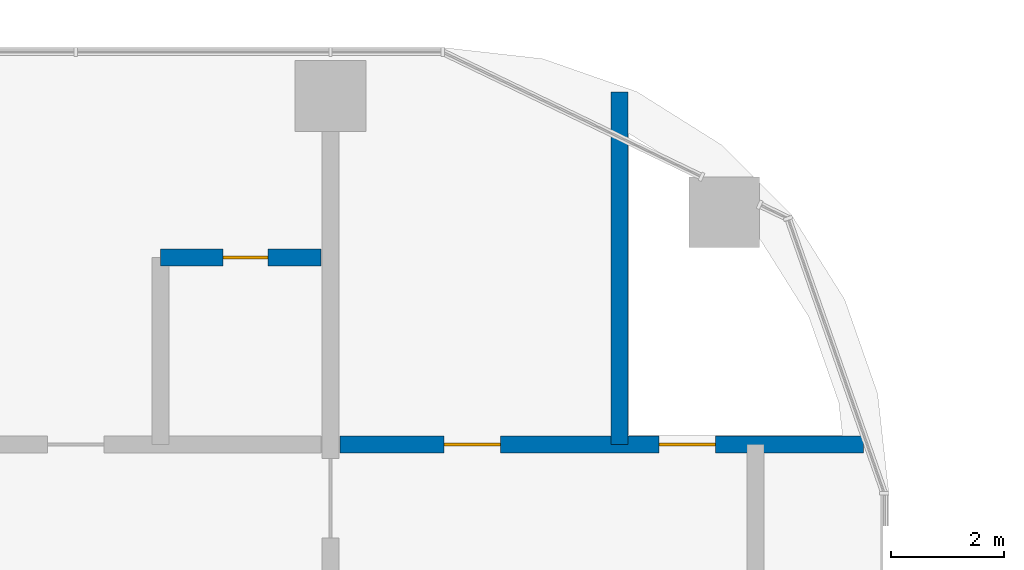
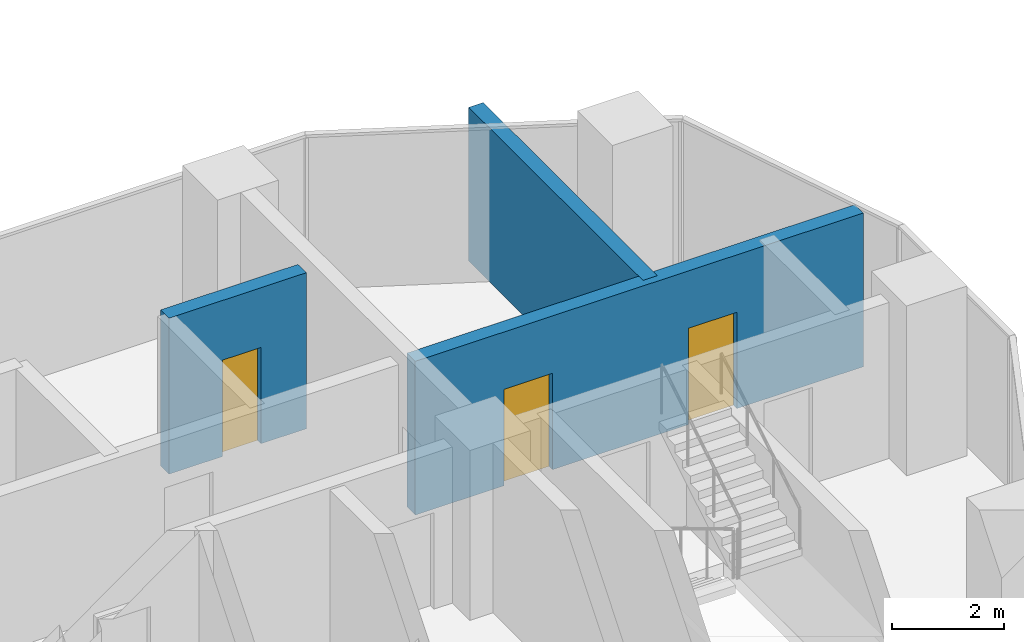
# One storey, part 20 of 35: 3 doors, 3 walls, 3 openings.
"""IFC4 building model written with IfcOpenShell, lengths in metres."""

from ifc_helpers import new_model, si_unit, direction, frame, frame_2d, origin, place, context, subcontext, project, spatial, rectangle, extrude, material, layer, layer_set, type_object, element, fill, save


model = new_model("IFC4")

# Units and contexts
model_context = context("Model", 3, precision=1e-05, world=origin(), true_north=direction((0.0, 1.0)))
body_context = subcontext(model_context, "Body", "Model", "MODEL_VIEW")
ifc_project = project(units=[si_unit("LENGTHUNIT", "METRE"), si_unit("AREAUNIT", "SQUARE_METRE"), si_unit("VOLUMEUNIT", "CUBIC_METRE"), si_unit("PLANEANGLEUNIT", "RADIAN"), si_unit("MASSUNIT", "GRAM", prefix="KILO")], contexts=[model_context])

# Site, building, storey
site_placement = place(None, origin())
site = spatial("IfcSite", under=ifc_project, at=site_placement, CompositionType="ELEMENT")
building_placement = place(site_placement, origin())
building = spatial("IfcBuilding", under=site, at=building_placement, Name="Ogive Portal Towers", CompositionType="ELEMENT")
storey_placement = place(building_placement, frame((0.0, 0.0, 94.5)))
storey = spatial("IfcBuildingStorey", under=building, at=storey_placement, Name="L22", CompositionType="ELEMENT", Elevation=94.5)

# Wall, openings, doors
ifc_material_1 = material(Name="Gypsum board partition on steel studs", Category="steel")
ifc_layer_1 = layer(ifc_material_1, 0.300048828125)
ifc_layer_set_1 = layer_set([ifc_layer_1], Name="WT-PART-300-EI 120")
wall_type_1 = type_object("IfcWallType", Name="WT-PART-300-EI 120", PredefinedType="PARTITIONING", material=ifc_layer_set_1)
wall_1_placement = place(storey_placement, frame((85.669921875, 33.35009765625, 0.0), z_axis=(0.0, 0.0, 1.0), x_axis=(1.0, 0.0, 0.0)))
wall_1 = element("IfcWall", 1, at=wall_1_placement, inside=storey, type_object=wall_type_1, Name="Wall L22:w010", PredefinedType="PARTITIONING", context=body_context, shape_type="SweptSolid", body=[
    extrude(rectangle(XDim=9.237060546875, YDim=0.300048828125, at=frame_2d((4.61865234375, 0.0))), origin(), (0.0, 0.0, 1.0), 3.35009765625),
])
opening_1_placement = place(wall_1_placement, frame((1.830078125, 0.0, 0.0)))
opening_1 = element("IfcOpeningElement", 2, at=opening_1_placement, cuts=wall_1, Name="Opening D07-062", PredefinedType="OPENING", context=body_context, shape_type="SweptSolid", body=[
    extrude(rectangle(XDim=1.0, YDim=2.10009765625, at=frame_2d((0.5, 1.050048828125))), frame((0.0, 0.16015625, 0.0), z_axis=(0.0, -1.0, 0.0), x_axis=(1.0, 0.0, 0.0)), (0.0, 0.0, 1.0), 0.320068359375),
])
opening_2_placement = place(wall_1_placement, frame((5.6298828125, 0.0, 0.0)))
opening_2 = element("IfcOpeningElement", 3, at=opening_2_placement, cuts=wall_1, Name="Opening D07-063", PredefinedType="OPENING", context=body_context, shape_type="SweptSolid", body=[
    extrude(rectangle(XDim=1.0, YDim=2.10009765625, at=frame_2d((0.5, 1.050048828125))), frame((0.0, 0.16015625, 0.0), z_axis=(0.0, -1.0, 0.0), x_axis=(1.0, 0.0, 0.0)), (0.0, 0.0, 1.0), 0.320068359375),
])
ifc_material_2 = material(Name="Steel fire door", Category="steel")
door_type_1 = type_object("IfcDoorType", Name="DT-SERVICE-1000x2100-FD90S", OperationType="SINGLE_SWING_LEFT", PredefinedType="DOOR", material=ifc_material_2)
door_1_placement = place(opening_1_placement, origin())
door_1 = element("IfcDoor", 4, at=door_1_placement, inside=storey, type_object=door_type_1, Name="Door D07-062", OperationType="SINGLE_SWING_LEFT", OverallHeight=2.10009765625, OverallWidth=1.0, PredefinedType="DOOR", context=body_context, shape_type="SweptSolid", body=[
    extrude(rectangle(XDim=1.0, YDim=2.10009765625, at=frame_2d((0.5, 1.050048828125))), frame((0.0, 0.02490234375, 0.0), z_axis=(0.0, -1.0, 0.0), x_axis=(1.0, 0.0, 0.0)), (0.0, 0.0, 1.0), 0.050048828125),
])
fill(opening_1, door_1)
door_2_placement = place(opening_2_placement, origin())
door_2 = element("IfcDoor", 5, at=door_2_placement, inside=storey, type_object=door_type_1, Name="Riser access door D07-063", OperationType="SINGLE_SWING_RIGHT", OverallHeight=2.10009765625, OverallWidth=1.0, PredefinedType="DOOR", context=body_context, shape_type="SweptSolid", body=[
    extrude(rectangle(XDim=1.0, YDim=2.10009765625, at=frame_2d((0.5, 1.050048828125))), frame((0.0, 0.02490234375, 0.0), z_axis=(0.0, -1.0, 0.0), x_axis=(1.0, 0.0, 0.0)), (0.0, 0.0, 1.0), 0.050048828125),
])
fill(opening_2, door_2)

# Wall, opening, door
ifc_layer_2 = layer(ifc_material_1, 0.300048828125)
ifc_layer_set_2 = layer_set([ifc_layer_2], Name="WT-PART-300-EI 60")
wall_type_2 = type_object("IfcWallType", Name="WT-PART-300-EI 60", PredefinedType="PARTITIONING", material=ifc_layer_set_2)
wall_2_placement = place(storey_placement, frame((82.5, 36.64990234375, 0.0), z_axis=(0.0, 0.0, 1.0), x_axis=(1.0, 0.0, 0.0)))
wall_2 = element("IfcWall", 6, at=wall_2_placement, inside=storey, type_object=wall_type_2, Name="Wall L22:w015", PredefinedType="PARTITIONING", context=body_context, shape_type="SweptSolid", body=[
    extrude(rectangle(XDim=2.830078125, YDim=0.300048828125, at=frame_2d((1.4150390625, 0.0))), origin(), (0.0, 0.0, 1.0), 3.39990234375),
])
opening_3_placement = place(wall_2_placement, frame((1.10009765625, 0.0, 0.0)))
opening_3 = element("IfcOpeningElement", 7, at=opening_3_placement, cuts=wall_2, Name="Opening D07-040", PredefinedType="OPENING", context=body_context, shape_type="SweptSolid", body=[
    extrude(rectangle(XDim=0.800048828125, YDim=2.10009765625, at=frame_2d((0.39990234375, 1.050048828125))), frame((0.0, 0.16015625, 0.0), z_axis=(0.0, -1.0, 0.0), x_axis=(1.0, 0.0, 0.0)), (0.0, 0.0, 1.0), 0.320068359375),
])
door_type_2 = type_object("IfcDoorType", Name="DT-BATH-800x2100-FD60S", OperationType="SINGLE_SWING_LEFT", PredefinedType="DOOR", material=ifc_material_2)
door_3_placement = place(opening_3_placement, origin())
door_3 = element("IfcDoor", 8, at=door_3_placement, inside=storey, type_object=door_type_2, Name="Door D07-040", OperationType="SINGLE_SWING_LEFT", OverallHeight=2.10009765625, OverallWidth=0.800048828125, PredefinedType="DOOR", context=body_context, shape_type="SweptSolid", body=[
    extrude(rectangle(XDim=0.800048828125, YDim=2.10009765625, at=frame_2d((0.39990234375, 1.050048828125))), frame((0.0, 0.02490234375, 0.0), z_axis=(0.0, -1.0, 0.0), x_axis=(1.0, 0.0, 0.0)), (0.0, 0.0, 1.0), 0.050048828125),
])
fill(opening_3, door_3)

# Wall
wall_3_placement = place(storey_placement, frame((90.60009765625, 33.35009765625, 0.0), z_axis=(0.0, 0.0, 1.0), x_axis=(0.0, 1.0, 0.0)))
element("IfcWall", 9, at=wall_3_placement, inside=storey, type_object=wall_type_2, Name="Wall L22:w063", PredefinedType="PARTITIONING", context=body_context, shape_type="SweptSolid", body=[
    extrude(rectangle(XDim=6.218994140625, YDim=0.300048828125, at=frame_2d((3.109375, 0.0))), origin(), (0.0, 0.0, 1.0), 3.35009765625),
])

save(model, "model.ifc")
